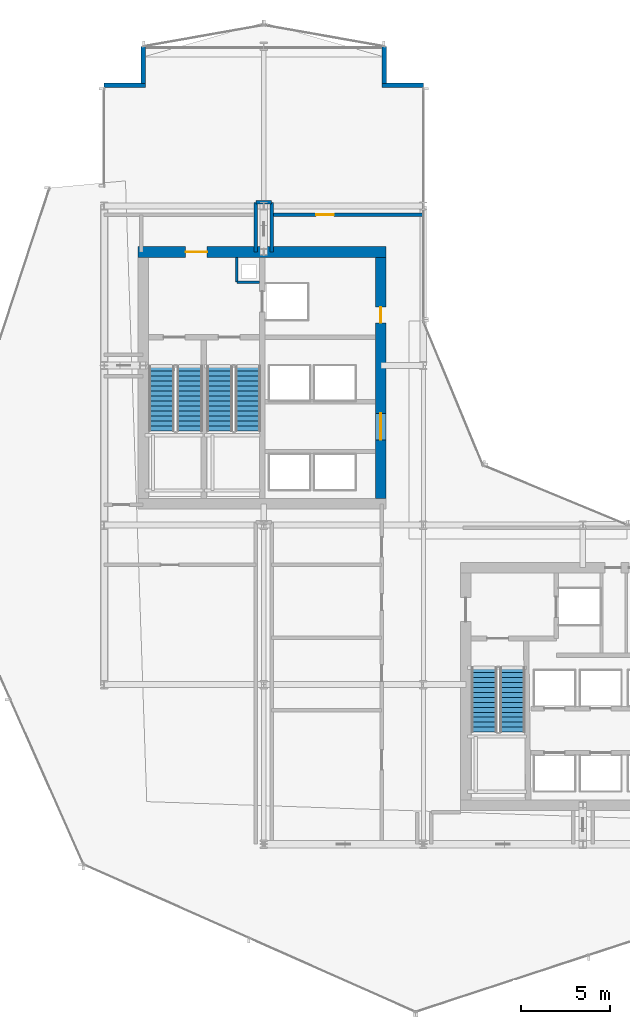
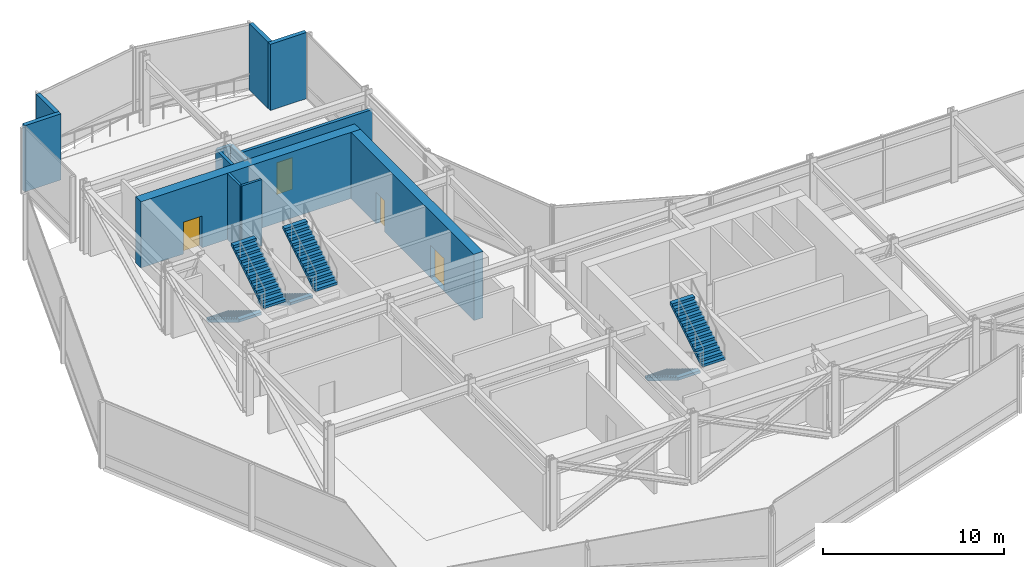
# One storey, part 36 of 42: 12 walls, 6 stair flights, 4 doors, 4 openings, 3 elements without a shape of their own.
"""IFC4 building model written with IfcOpenShell, lengths in metres."""

from ifc_helpers import new_model, si_unit, direction, frame, frame_2d, origin, place, context, subcontext, project, spatial, polyline, rectangle, outline, extrude, material, layer, layer_set, type_object, element, fill, aggregate, save


model = new_model("IFC4")

# Units and contexts
model_context = context("Model", 3, precision=1e-05, world=origin(), true_north=direction((0.0, 1.0)))
body_context = subcontext(model_context, "Body", "Model", "MODEL_VIEW")
ifc_project = project(units=[si_unit("LENGTHUNIT", "METRE"), si_unit("AREAUNIT", "SQUARE_METRE"), si_unit("VOLUMEUNIT", "CUBIC_METRE"), si_unit("PLANEANGLEUNIT", "RADIAN"), si_unit("MASSUNIT", "GRAM", prefix="KILO")], contexts=[model_context])

# Site, building, storey
site_placement = place(None, origin())
site = spatial("IfcSite", under=ifc_project, at=site_placement, CompositionType="ELEMENT")
building_placement = place(site_placement, origin())
building = spatial("IfcBuilding", under=site, at=building_placement, Name="Solvaryn Broadcast Tower", CompositionType="ELEMENT")
storey_placement = place(building_placement, frame((0.0, 0.0, 100.199951171875)))
storey = spatial("IfcBuildingStorey", under=building, at=storey_placement, Name="L24", CompositionType="ELEMENT", Elevation=100.199951171875)

# Wall, opening, door
ifc_material_1 = material(Name="Concrete f'c 70 MPa", Category="concrete")
ifc_layer_1 = layer(ifc_material_1, 0.60009765625)
ifc_layer_set_1 = layer_set([ifc_layer_1], Name="CW-SHEAR-600")
wall_type_1 = type_object("IfcWallType", Name="CW-SHEAR-600", PredefinedType="SHEAR", material=ifc_layer_set_1)
wall_1_placement = place(storey_placement, frame((24.89990234375, 42.39990234375, 0.0), z_axis=(0.0, 0.0, 1.0), x_axis=(-1.0, 0.0, 0.0)))
wall_1 = element("IfcWall", 1, at=wall_1_placement, inside=storey, type_object=wall_type_1, Name="L24 West Core North Shear Wall", PredefinedType="SHEAR", context=body_context, shape_type="SweptSolid", body=[
    extrude(rectangle(XDim=14.0, YDim=0.60009765625, at=frame_2d((7.0, 0.0))), origin(), (0.0, 0.0, 1.0), 4.469970703125),
])
opening_1_placement = place(wall_1_placement, frame((10.10009765625, 0.0, 0.0)))
opening_1 = element("IfcOpeningElement", 2, at=opening_1_placement, cuts=wall_1, Name="Opening FD90A", PredefinedType="OPENING", context=body_context, shape_type="SweptSolid", body=[
    extrude(rectangle(XDim=1.199951171875, YDim=2.14990234375, at=frame_2d((0.60009765625, 1.074951171875))), frame((0.0, 0.31005859375, 0.0), z_axis=(0.0, -1.0, 0.0), x_axis=(1.0, 0.0, 0.0)), (0.0, 0.0, 1.0), 0.6201171875),
])
ifc_material_2 = material(Name="Flush Acoustic Steel and Timber Door Assembly", Category="steel")
door_type_1 = type_object("IfcDoorType", Name="FD90-STAIR-1200X2150", OperationType="NOTDEFINED", PredefinedType="DOOR", material=ifc_material_2)
door_1_placement = place(opening_1_placement, origin())
door_1 = element("IfcDoor", 3, at=door_1_placement, inside=storey, type_object=door_type_1, Name="L24 West FSAE Lobby Corridor Door", OperationType="SINGLE_SWING_LEFT", OverallHeight=2.14990234375, OverallWidth=1.199951171875, PredefinedType="DOOR", context=body_context, shape_type="SweptSolid", body=[
    extrude(rectangle(XDim=1.199951171875, YDim=2.14990234375, at=frame_2d((0.60009765625, 1.074951171875))), frame((0.0, 0.02490234375, 0.0), z_axis=(0.0, -1.0, 0.0), x_axis=(1.0, 0.0, 0.0)), (0.0, 0.0, 1.0), 0.050048828125),
])
fill(opening_1, door_1)

# Wall, openings, doors
wall_2_placement = place(storey_placement, frame((24.60009765625, 28.5, 0.0), z_axis=(0.0, 0.0, 1.0), x_axis=(0.0, 1.0, 0.0)))
wall_2 = element("IfcWall", 4, at=wall_2_placement, inside=storey, type_object=wall_type_1, Name="L24 West Core East Shear Wall", PredefinedType="SHEAR", context=body_context, shape_type="SweptSolid", body=[
    extrude(rectangle(XDim=13.60009765625, YDim=0.60009765625, at=frame_2d((6.800048828125, 0.0))), origin(), (0.0, 0.0, 1.0), 4.469970703125),
])
opening_2_placement = place(wall_2_placement, frame((3.300048828125, 0.0, 0.0)))
opening_2 = element("IfcOpeningElement", 5, at=opening_2_placement, cuts=wall_2, Name="Opening FD60A", PredefinedType="OPENING", context=body_context, shape_type="SweptSolid", body=[
    extrude(rectangle(XDim=1.5, YDim=2.199951171875, at=frame_2d((0.75, 1.10009765625))), frame((0.0, 0.31005859375, 0.0), z_axis=(0.0, -1.0, 0.0), x_axis=(1.0, 0.0, 0.0)), (0.0, 0.0, 1.0), 0.6201171875),
])
opening_3_placement = place(wall_2_placement, frame((9.89990234375, 0.0, 0.0)))
opening_3 = element("IfcOpeningElement", 6, at=opening_3_placement, cuts=wall_2, Name="Opening FD60C", PredefinedType="OPENING", context=body_context, shape_type="SweptSolid", body=[
    extrude(rectangle(XDim=0.89990234375, YDim=2.10009765625, at=frame_2d((0.449951171875, 1.050048828125))), frame((0.0, 0.31005859375, 0.0), z_axis=(0.0, -1.0, 0.0), x_axis=(1.0, 0.0, 0.0)), (0.0, 0.0, 1.0), 0.6201171875),
])
ifc_material_3 = material(Name="Flush Acoustic Steel and Timber Door Assembly", Category="steel")
door_type_2 = type_object("IfcDoorType", Name="FD60-CORR-1500X2200", OperationType="NOTDEFINED", PredefinedType="DOOR", material=ifc_material_3)
door_2_placement = place(opening_2_placement, origin())
door_2 = element("IfcDoor", 7, at=door_2_placement, inside=storey, type_object=door_type_2, Name="L24 West Elevator Lobby Corridor Door", OperationType="DOUBLE_DOOR_SINGLE_SWING", OverallHeight=2.199951171875, OverallWidth=1.5, PredefinedType="DOOR", context=body_context, shape_type="SweptSolid", body=[
    extrude(rectangle(XDim=1.5, YDim=2.199951171875, at=frame_2d((0.75, 1.10009765625))), frame((0.0, 0.02490234375, 0.0), z_axis=(0.0, -1.0, 0.0), x_axis=(1.0, 0.0, 0.0)), (0.0, 0.0, 1.0), 0.050048828125),
])
fill(opening_2, door_2)
ifc_material_4 = material(Name="Flush Acoustic Steel and Timber Door Assembly", Category="steel")
door_type_3 = type_object("IfcDoorType", Name="FD60-SERV-900X2100", OperationType="NOTDEFINED", PredefinedType="DOOR", material=ifc_material_4)
door_3_placement = place(opening_3_placement, origin())
door_3 = element("IfcDoor", 8, at=door_3_placement, inside=storey, type_object=door_type_3, Name="L24 West Core Service Door 1", OperationType="SINGLE_SWING_LEFT", OverallHeight=2.10009765625, OverallWidth=0.89990234375, PredefinedType="DOOR", context=body_context, shape_type="SweptSolid", body=[
    extrude(rectangle(XDim=0.89990234375, YDim=2.10009765625, at=frame_2d((0.449951171875, 1.050048828125))), frame((0.0, 0.02490234375, 0.0), z_axis=(0.0, -1.0, 0.0), x_axis=(1.0, 0.0, 0.0)), (0.0, 0.0, 1.0), 0.050048828125),
])
fill(opening_3, door_3)

# Walls
ifc_material_5 = material(Name="Concrete f'c 50 MPa", Category="concrete")
ifc_layer_2 = layer(ifc_material_5, 0.260009765625)
ifc_layer_set_2 = layer_set([ifc_layer_2], Name="EW-PIER-260")
wall_type_2 = type_object("IfcWallType", Name="EW-PIER-260", PredefinedType="SOLIDWALL", material=ifc_layer_set_2)
wall_3_placement = place(storey_placement, frame((9.0, 51.800048828125, 0.0), z_axis=(0.0, 0.0, 1.0), x_axis=(1.0, 0.0, 0.0)))
element("IfcWall", 9, at=wall_3_placement, inside=storey, type_object=wall_type_2, Name="L24 Notched Corner Pier Wall NNW1", PredefinedType="SOLIDWALL", context=body_context, shape_type="SweptSolid", body=[
    extrude(rectangle(XDim=2.320068359375, YDim=0.260009765625, at=frame_2d((1.16015625, 0.0))), origin(), (0.0, 0.0, 1.0), 4.469970703125),
])
for number, where, z_axis, x_axis, name in (
    (10, (11.199951171875, 51.919921875, 0.0), (0.0, 0.0, 1.0), (0.0, 1.0, 0.0), "L24 Notched Corner Pier Wall NNW2"),
    (11, (24.800048828125, 54.0, 0.0), (0.0, 0.0, 1.0), (0.0, -1.0, 0.0), "L24 Notched Corner Pier Wall NNE1"),
):
    element("IfcWall", number, at=place(storey_placement, frame(where, z_axis=z_axis, x_axis=x_axis)), inside=storey, type_object=wall_type_2, Name=name, PredefinedType="SOLIDWALL", context=body_context, shape_type="SweptSolid", body=[
        extrude(rectangle(XDim=2.080078125, YDim=0.260009765625, at=frame_2d((1.0400390625, 0.0))), origin(), (0.0, 0.0, 1.0), 4.469970703125),
    ])
wall_4_placement = place(storey_placement, frame((24.679931640625, 51.800048828125, 0.0), z_axis=(0.0, 0.0, 1.0), x_axis=(1.0, 0.0, 0.0)))
element("IfcWall", 12, at=wall_4_placement, inside=storey, type_object=wall_type_2, Name="L24 Notched Corner Pier Wall NNE2", PredefinedType="SOLIDWALL", context=body_context, shape_type="SweptSolid", body=[
    extrude(rectangle(XDim=2.320068359375, YDim=0.260009765625, at=frame_2d((1.16015625, 0.0))), origin(), (0.0, 0.0, 1.0), 4.469970703125),
])
ifc_material_6 = material(Name="Metal-Stud Service Core Partition")
ifc_layer_3 = layer(ifc_material_6, 0.14990234375)
ifc_layer_set_3 = layer_set([ifc_layer_3], Name="IW-PART-150")
wall_type_3 = type_object("IfcWallType", Name="IW-PART-150", PredefinedType="PARTITIONING", material=ifc_layer_set_3)
wall_5_placement = place(storey_placement, frame((16.47998046875, 40.699951171875, 0.0), z_axis=(0.0, 0.0, 1.0), x_axis=(1.0, 0.0, 0.0)))
element("IfcWall", 13, at=wall_5_placement, inside=storey, type_object=wall_type_3, Name="L24 West Core Riser Shaft South Wall", PredefinedType="PARTITIONING", context=body_context, shape_type="SweptSolid", body=[
    extrude(rectangle(XDim=1.2900390625, YDim=0.14990234375, at=frame_2d((0.64501953125, 0.0))), origin(), (0.0, 0.0, 1.0), 4.469970703125),
])
wall_6_placement = place(storey_placement, frame((16.47998046875, 40.699951171875, 0.0), z_axis=(0.0, 0.0, 1.0), x_axis=(0.0, 1.0, 0.0)))
element("IfcWall", 14, at=wall_6_placement, inside=storey, type_object=wall_type_3, Name="L24 West Core Riser Shaft West Wall", PredefinedType="PARTITIONING", context=body_context, shape_type="SweptSolid", body=[
    extrude(rectangle(XDim=1.400146484375, YDim=0.14990234375, at=frame_2d((0.7001953125, 0.0))), origin(), (0.0, 0.0, 1.0), 4.469970703125),
])

# Wall, opening, door
ifc_material_7 = material(Name="Gypsum Fire-Rated Shaftwall Assembly", Category="concrete")
ifc_layer_4 = layer(ifc_material_7, 0.199951171875)
ifc_layer_set_4 = layer_set([ifc_layer_4], Name="IW-RATED-200")
wall_type_4 = type_object("IfcWallType", Name="IW-RATED-200", PredefinedType="PARTITIONING", material=ifc_layer_set_4)
wall_7_placement = place(storey_placement, frame((18.449951171875, 44.5, 0.0), z_axis=(0.0, 0.0, 1.0), x_axis=(1.0, 0.0, 0.0)))
wall_7 = element("IfcWall", 15, at=wall_7_placement, inside=storey, type_object=wall_type_4, Name="L24 Interior Partition IW-L24-MW7B", PredefinedType="PARTITIONING", context=body_context, shape_type="SweptSolid", body=[
    extrude(rectangle(XDim=8.550048828125, YDim=0.199951171875, at=frame_2d((4.27490234375, 0.0))), origin(), (0.0, 0.0, 1.0), 3.677001953125),
])
opening_4_placement = place(wall_7_placement, frame((2.5, 0.0, 0.0)))
opening_4 = element("IfcOpeningElement", 16, at=opening_4_placement, cuts=wall_7, Name="Opening FD90D", PredefinedType="OPENING", context=body_context, shape_type="SweptSolid", body=[
    extrude(rectangle(XDim=1.0, YDim=2.14990234375, at=frame_2d((0.5, 1.074951171875))), frame((0.0, 0.110107421875, 0.0), z_axis=(0.0, -1.0, 0.0), x_axis=(1.0, 0.0, 0.0)), (0.0, 0.0, 1.0), 0.219970703125),
])
ifc_material_8 = material(Name="Flush Acoustic Steel and Timber Door Assembly", Category="steel")
door_type_4 = type_object("IfcDoorType", Name="FD90-FCC-1000X2150", OperationType="NOTDEFINED", PredefinedType="DOOR", material=ifc_material_8)
door_4_placement = place(opening_4_placement, origin())
door_4 = element("IfcDoor", 17, at=door_4_placement, inside=storey, type_object=door_type_4, Name="L24 Door DR-L24-MD4B", OperationType="SINGLE_SWING_RIGHT", OverallHeight=2.14990234375, OverallWidth=1.0, PredefinedType="DOOR", context=body_context, shape_type="SweptSolid", body=[
    extrude(rectangle(XDim=1.0, YDim=2.14990234375, at=frame_2d((0.5, 1.074951171875))), frame((0.0, 0.02490234375, 0.0), z_axis=(0.0, -1.0, 0.0), x_axis=(1.0, 0.0, 0.0)), (0.0, 0.0, 1.0), 0.050048828125),
])
fill(opening_4, door_4)

# Walls
for number, where, z_axis, x_axis, name in (
    (18, (17.550048828125, 42.39990234375, 0.0), (0.0, 0.0, 1.0), (0.0, 1.0, 0.0), "L24 Interior Partition IW-L24-MW7W"),
    (19, (18.449951171875, 42.39990234375, 0.0), (0.0, 0.0, 1.0), (0.0, 1.0, 0.0), "L24 Interior Partition IW-L24-MW7E"),
):
    element("IfcWall", number, at=place(storey_placement, frame(where, z_axis=z_axis, x_axis=x_axis)), inside=storey, type_object=wall_type_4, Name=name, PredefinedType="PARTITIONING", context=body_context, shape_type="SweptSolid", body=[
        extrude(rectangle(XDim=2.800048828125, YDim=0.199951171875, at=frame_2d((1.39990234375, 0.0))), origin(), (0.0, 0.0, 1.0), 3.839111328125),
    ])
wall_8_placement = place(storey_placement, frame((17.550048828125, 45.199951171875, 0.0), z_axis=(0.0, 0.0, 1.0), x_axis=(1.0, 0.0, 0.0)))
element("IfcWall", 20, at=wall_8_placement, inside=storey, type_object=wall_type_4, Name="L24 Interior Partition IW-L24-MW7N", PredefinedType="PARTITIONING", context=body_context, shape_type="SweptSolid", body=[
    extrude(rectangle(XDim=0.89990234375, YDim=0.199951171875, at=frame_2d((0.449951171875, 0.0))), origin(), (0.0, 0.0, 1.0), 3.839111328125),
])

# Stair, stair flights
ifc_material_9 = material(Name="Concrete f'c 60 MPa", Category="concrete")
stair_type = type_object("IfcStairType", Name="ST-CORE", PredefinedType="HALF_TURN_STAIR", material=ifc_material_9)
stair_1_placement = place(storey_placement, origin())
stair_1 = element("IfcStair", 21, at=stair_1_placement, inside=storey, type_object=stair_type, Name="L24 ST1", PredefinedType="HALF_TURN_STAIR")
ifc_material_10 = material(Name="Concrete f'c 60 MPa", Category="concrete")
ifc_layer_5 = layer(ifc_material_10, 0.159912109375)
ifc_layer_set_5 = layer_set([ifc_layer_5], Name="SF-CORE")
stair_flight_type = type_object("IfcStairFlightType", Name="SF-CORE", PredefinedType="STRAIGHT", material=ifc_layer_set_5)
stair_flight_1_placement = place(storey_placement, frame((12.239990234375, 35.9599609375, 0.0), z_axis=(0.0, 0.0, 1.0), x_axis=(0.0, -1.0, 0.0)))
stair_flight_1 = element("IfcStairFlight", 22, at=stair_flight_1_placement, type_object=stair_flight_type, Name="ST1 flight 1", NumberOfRisers=14, NumberOfTreads=13, PredefinedType="STRAIGHT", RiserHeight=0.171428571, TreadLength=0.28, context=body_context, shape_type="SweptSolid", body=[
    extrude(outline(polyline([(0.0, 0.0), (0.0, 0.17138671875), (0.280029296875, 0.17138671875), (0.280029296875, 0.3427734375), (0.56005859375, 0.3427734375), (0.56005859375, 0.514404296875), (0.840087890625, 0.514404296875), (0.840087890625, 0.685791015625), (1.1201171875, 0.685791015625), (1.1201171875, 0.857177734375), (1.39990234375, 0.857177734375), (1.39990234375, 1.028564453125), (1.679931640625, 1.028564453125), (1.679931640625, 1.199951171875), (1.9599609375, 1.199951171875), (1.9599609375, 1.371337890625), (2.239990234375, 1.371337890625), (2.239990234375, 1.54296875), (2.52001953125, 1.54296875), (2.52001953125, 1.71435546875), (2.800048828125, 1.71435546875), (2.800048828125, 1.8857421875), (3.080078125, 1.8857421875), (3.080078125, 2.05712890625), (3.360107421875, 2.05712890625), (3.360107421875, 2.228515625), (3.639892578125, 2.228515625), (3.639892578125, 2.39990234375), (3.639892578125, 2.052734375), (0.287109375, 0.0), (0.0, 0.0)])), frame((0.0, 0.719970703125, 0.0), z_axis=(0.0, -1.0, 0.0), x_axis=(1.0, 0.0, 0.0)), (0.0, 0.0, 1.0), 1.43994140625),
])
stair_flight_2_placement = place(storey_placement, frame((13.830078125, 32.320068359375, 2.400146484375), z_axis=(0.0, 0.0, 1.0), x_axis=(0.0, 1.0, 0.0)))
stair_flight_2 = element("IfcStairFlight", 23, at=stair_flight_2_placement, type_object=stair_flight_type, Name="ST1 flight 2", NumberOfRisers=14, NumberOfTreads=13, PredefinedType="STRAIGHT", RiserHeight=0.171428571, TreadLength=0.28, context=body_context, shape_type="SweptSolid", body=[
    extrude(outline(polyline([(0.0, 0.0), (0.0, 0.17138671875), (0.280029296875, 0.17138671875), (0.280029296875, 0.3427734375), (0.56005859375, 0.3427734375), (0.56005859375, 0.514404296875), (0.840087890625, 0.514404296875), (0.840087890625, 0.685791015625), (1.1201171875, 0.685791015625), (1.1201171875, 0.857177734375), (1.39990234375, 0.857177734375), (1.39990234375, 1.028564453125), (1.679931640625, 1.028564453125), (1.679931640625, 1.199951171875), (1.9599609375, 1.199951171875), (1.9599609375, 1.371337890625), (2.239990234375, 1.371337890625), (2.239990234375, 1.54296875), (2.52001953125, 1.54296875), (2.52001953125, 1.71435546875), (2.800048828125, 1.71435546875), (2.800048828125, 1.8857421875), (3.080078125, 1.8857421875), (3.080078125, 2.05712890625), (3.360107421875, 2.05712890625), (3.360107421875, 2.228515625), (3.639892578125, 2.228515625), (3.639892578125, 2.39990234375), (3.639892578125, 2.052734375), (0.287109375, 0.0), (0.0, 0.0)])), frame((0.0, 0.719970703125, 0.0), z_axis=(0.0, -1.0, 0.0), x_axis=(1.0, 0.0, 0.0)), (0.0, 0.0, 1.0), 1.43994140625),
])
aggregate(stair_1, [stair_flight_1, stair_flight_2])

stair_2_placement = place(storey_placement, origin())
stair_2 = element("IfcStair", 24, at=stair_2_placement, inside=storey, type_object=stair_type, Name="L24 ST2", PredefinedType="HALF_TURN_STAIR")
stair_flight_3_placement = place(storey_placement, frame((15.52001953125, 35.9599609375, 0.0), z_axis=(0.0, 0.0, 1.0), x_axis=(0.0, -1.0, 0.0)))
stair_flight_3 = element("IfcStairFlight", 25, at=stair_flight_3_placement, type_object=stair_flight_type, Name="ST2 flight 1", NumberOfRisers=14, NumberOfTreads=13, PredefinedType="STRAIGHT", RiserHeight=0.171428571, TreadLength=0.28, context=body_context, shape_type="SweptSolid", body=[
    extrude(outline(polyline([(0.0, 0.0), (0.0, 0.17138671875), (0.280029296875, 0.17138671875), (0.280029296875, 0.3427734375), (0.56005859375, 0.3427734375), (0.56005859375, 0.514404296875), (0.840087890625, 0.514404296875), (0.840087890625, 0.685791015625), (1.1201171875, 0.685791015625), (1.1201171875, 0.857177734375), (1.39990234375, 0.857177734375), (1.39990234375, 1.028564453125), (1.679931640625, 1.028564453125), (1.679931640625, 1.199951171875), (1.9599609375, 1.199951171875), (1.9599609375, 1.371337890625), (2.239990234375, 1.371337890625), (2.239990234375, 1.54296875), (2.52001953125, 1.54296875), (2.52001953125, 1.71435546875), (2.800048828125, 1.71435546875), (2.800048828125, 1.8857421875), (3.080078125, 1.8857421875), (3.080078125, 2.05712890625), (3.360107421875, 2.05712890625), (3.360107421875, 2.228515625), (3.639892578125, 2.228515625), (3.639892578125, 2.39990234375), (3.639892578125, 2.052734375), (0.287109375, 0.0), (0.0, 0.0)])), frame((0.0, 0.719970703125, 0.0), z_axis=(0.0, -1.0, 0.0), x_axis=(1.0, 0.0, 0.0)), (0.0, 0.0, 1.0), 1.43994140625),
])
stair_flight_4_placement = place(storey_placement, frame((17.110107421875, 32.320068359375, 2.400146484375), z_axis=(0.0, 0.0, 1.0), x_axis=(0.0, 1.0, 0.0)))
stair_flight_4 = element("IfcStairFlight", 26, at=stair_flight_4_placement, type_object=stair_flight_type, Name="ST2 flight 2", NumberOfRisers=14, NumberOfTreads=13, PredefinedType="STRAIGHT", RiserHeight=0.171428571, TreadLength=0.28, context=body_context, shape_type="SweptSolid", body=[
    extrude(outline(polyline([(0.0, 0.0), (0.0, 0.17138671875), (0.280029296875, 0.17138671875), (0.280029296875, 0.3427734375), (0.56005859375, 0.3427734375), (0.56005859375, 0.514404296875), (0.840087890625, 0.514404296875), (0.840087890625, 0.685791015625), (1.1201171875, 0.685791015625), (1.1201171875, 0.857177734375), (1.39990234375, 0.857177734375), (1.39990234375, 1.028564453125), (1.679931640625, 1.028564453125), (1.679931640625, 1.199951171875), (1.9599609375, 1.199951171875), (1.9599609375, 1.371337890625), (2.239990234375, 1.371337890625), (2.239990234375, 1.54296875), (2.52001953125, 1.54296875), (2.52001953125, 1.71435546875), (2.800048828125, 1.71435546875), (2.800048828125, 1.8857421875), (3.080078125, 1.8857421875), (3.080078125, 2.05712890625), (3.360107421875, 2.05712890625), (3.360107421875, 2.228515625), (3.639892578125, 2.228515625), (3.639892578125, 2.39990234375), (3.639892578125, 2.052734375), (0.287109375, 0.0), (0.0, 0.0)])), frame((0.0, 0.719970703125, 0.0), z_axis=(0.0, -1.0, 0.0), x_axis=(1.0, 0.0, 0.0)), (0.0, 0.0, 1.0), 1.43994140625),
])
aggregate(stair_2, [stair_flight_3, stair_flight_4])

stair_3_placement = place(storey_placement, origin())
stair_3 = element("IfcStair", 27, at=stair_3_placement, inside=storey, type_object=stair_type, Name="L24 ST3", PredefinedType="HALF_TURN_STAIR")
stair_flight_5_placement = place(storey_placement, frame((30.43994140625, 18.9599609375, 0.0), z_axis=(0.0, 0.0, 1.0), x_axis=(0.0, -1.0, 0.0)))
stair_flight_5 = element("IfcStairFlight", 28, at=stair_flight_5_placement, type_object=stair_flight_type, Name="ST3 flight 1", NumberOfRisers=14, NumberOfTreads=13, PredefinedType="STRAIGHT", RiserHeight=0.171428571, TreadLength=0.28, context=body_context, shape_type="SweptSolid", body=[
    extrude(outline(polyline([(0.0, 0.0), (0.0, 0.17138671875), (0.280029296875, 0.17138671875), (0.280029296875, 0.3427734375), (0.56005859375, 0.3427734375), (0.56005859375, 0.514404296875), (0.840087890625, 0.514404296875), (0.840087890625, 0.685791015625), (1.1201171875, 0.685791015625), (1.1201171875, 0.857177734375), (1.39990234375, 0.857177734375), (1.39990234375, 1.028564453125), (1.679931640625, 1.028564453125), (1.679931640625, 1.199951171875), (1.9599609375, 1.199951171875), (1.9599609375, 1.371337890625), (2.239990234375, 1.371337890625), (2.239990234375, 1.54296875), (2.52001953125, 1.54296875), (2.52001953125, 1.71435546875), (2.800048828125, 1.71435546875), (2.800048828125, 1.8857421875), (3.080078125, 1.8857421875), (3.080078125, 2.05712890625), (3.360107421875, 2.05712890625), (3.360107421875, 2.228515625), (3.639892578125, 2.228515625), (3.639892578125, 2.39990234375), (3.639892578125, 2.052734375), (0.287109375, 0.0), (0.0, 0.0)])), frame((0.0, 0.719970703125, 0.0), z_axis=(0.0, -1.0, 0.0), x_axis=(1.0, 0.0, 0.0)), (0.0, 0.0, 1.0), 1.43994140625),
])
stair_flight_6_placement = place(storey_placement, frame((32.030029296875, 15.320068359375, 2.400146484375), z_axis=(0.0, 0.0, 1.0), x_axis=(0.0, 1.0, 0.0)))
stair_flight_6 = element("IfcStairFlight", 29, at=stair_flight_6_placement, type_object=stair_flight_type, Name="ST3 flight 2", NumberOfRisers=14, NumberOfTreads=13, PredefinedType="STRAIGHT", RiserHeight=0.171428571, TreadLength=0.28, context=body_context, shape_type="SweptSolid", body=[
    extrude(outline(polyline([(0.0, 0.0), (0.0, 0.17138671875), (0.280029296875, 0.17138671875), (0.280029296875, 0.3427734375), (0.56005859375, 0.3427734375), (0.56005859375, 0.514404296875), (0.840087890625, 0.514404296875), (0.840087890625, 0.685791015625), (1.1201171875, 0.685791015625), (1.1201171875, 0.857177734375), (1.39990234375, 0.857177734375), (1.39990234375, 1.028564453125), (1.679931640625, 1.028564453125), (1.679931640625, 1.199951171875), (1.9599609375, 1.199951171875), (1.9599609375, 1.371337890625), (2.239990234375, 1.371337890625), (2.239990234375, 1.54296875), (2.52001953125, 1.54296875), (2.52001953125, 1.71435546875), (2.800048828125, 1.71435546875), (2.800048828125, 1.8857421875), (3.080078125, 1.8857421875), (3.080078125, 2.05712890625), (3.360107421875, 2.05712890625), (3.360107421875, 2.228515625), (3.639892578125, 2.228515625), (3.639892578125, 2.39990234375), (3.639892578125, 2.052734375), (0.287109375, 0.0), (0.0, 0.0)])), frame((0.0, 0.719970703125, 0.0), z_axis=(0.0, -1.0, 0.0), x_axis=(1.0, 0.0, 0.0)), (0.0, 0.0, 1.0), 1.43994140625),
])
aggregate(stair_3, [stair_flight_5, stair_flight_6])

save(model, "model.ifc")
